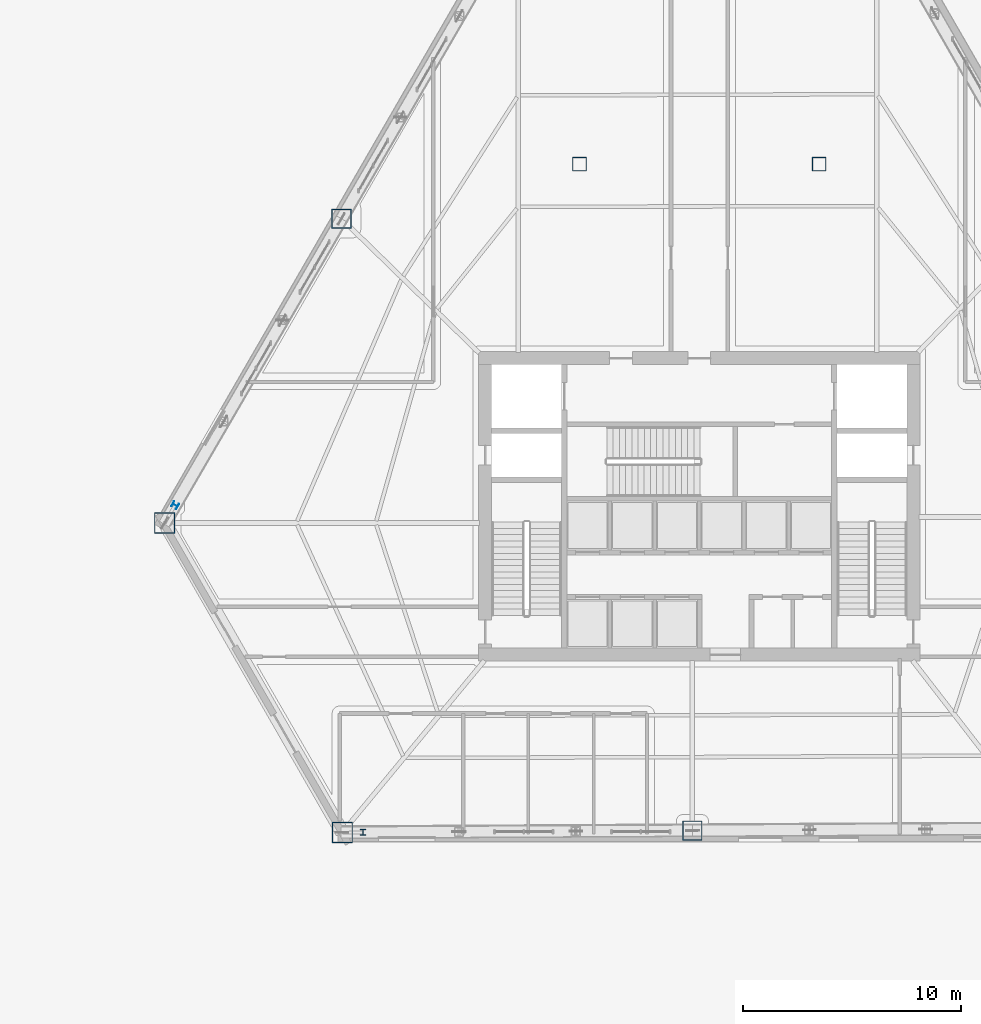
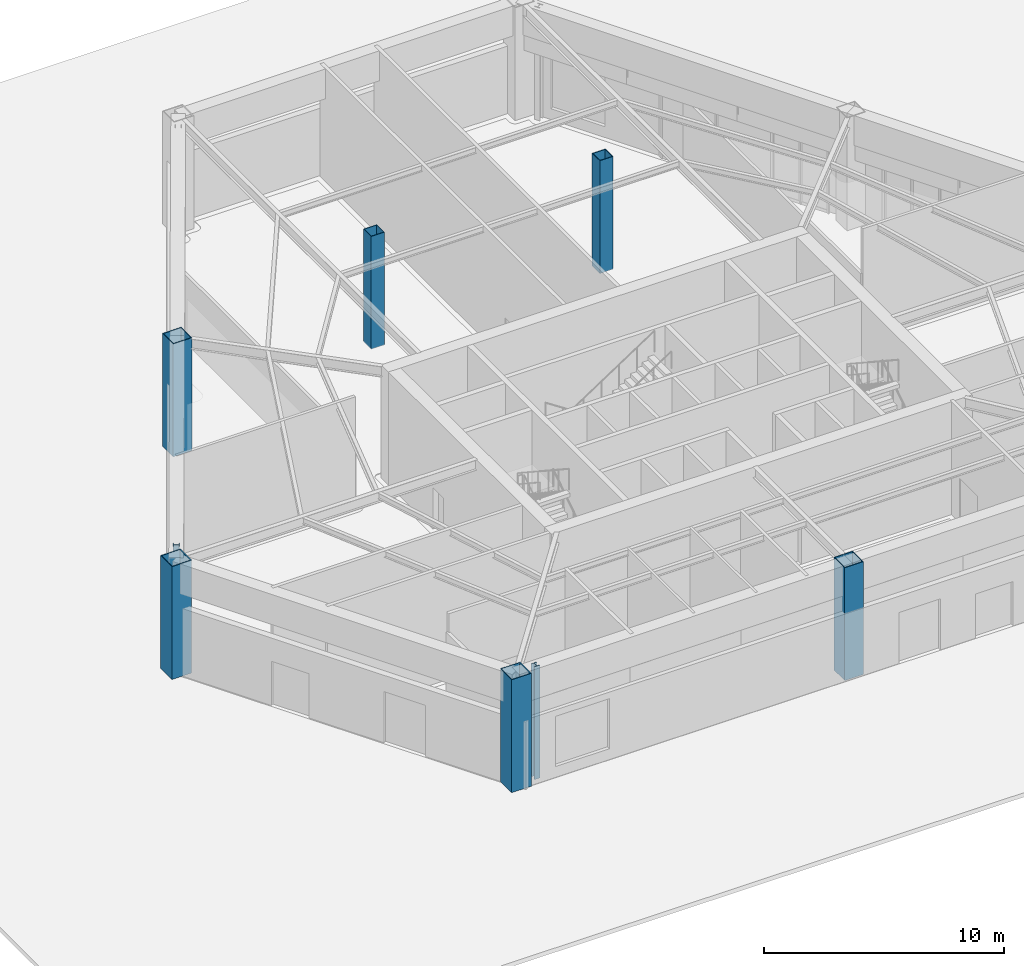
# One storey, part 1 of 20: 8 columns.
"""IFC4 building model written with IfcOpenShell, lengths in metres."""

from ifc_helpers import new_model, si_unit, direction, frame, origin, origin_2d, place, context, subcontext, project, spatial, hollow_rectangle, i_section, extrude, material, material_profile, profile_set, type_object, element, save


model = new_model("IFC4")

# Units and contexts
model_context = context("Model", 3, precision=1e-05, world=origin(), true_north=direction((0.0, 1.0)))
body_context = subcontext(model_context, "Body", "Model", "MODEL_VIEW")
ifc_project = project(units=[si_unit("LENGTHUNIT", "METRE"), si_unit("AREAUNIT", "SQUARE_METRE"), si_unit("VOLUMEUNIT", "CUBIC_METRE"), si_unit("PLANEANGLEUNIT", "RADIAN"), si_unit("MASSUNIT", "GRAM", prefix="KILO")], contexts=[model_context])

# Site, building, storey
site_placement = place(None, origin())
site = spatial("IfcSite", under=ifc_project, at=site_placement, CompositionType="ELEMENT")
building_placement = place(site_placement, origin())
building = spatial("IfcBuilding", under=site, at=building_placement, Name="Kavelnor Concourse Tower", CompositionType="ELEMENT")
storey_placement = place(building_placement, origin())
storey = spatial("IfcBuildingStorey", under=building, at=storey_placement, Name="L00", CompositionType="ELEMENT", Elevation=0.0)

# Columns
ifc_material = material(Name="Steel Grade 350", Category="steel")
ifc_material_profile_1 = material_profile(ifc_material, hollow_rectangle(XDim=0.89990234375, YDim=0.89990234375, WallThickness=0.0380859375, at=origin_2d()), Name="SHS 900x900x38")
ifc_profile_set_1 = profile_set([ifc_material_profile_1], Name="Steel Grade 350")
column_type_1 = type_object("IfcColumnType", Name="COL-MEGA-900", PredefinedType="COLUMN", material=ifc_profile_set_1)
for number, where, z_axis, x_axis, name in (
    (1, (21.587158203125, 29.294189453125, 0.0), (0.0, 0.0, 1.0), (1.0, 0.0, 0.0), "L00 Perimeter Mega Column MC-F0"),
    (2, (37.68505859375, 1.22998046875, 0.0), (0.0, 0.0, 1.0), (1.0, 0.0, 0.0), "L00 Perimeter Mega Column MC-F1"),
):
    element("IfcColumn", number, at=place(storey_placement, frame(where, z_axis=z_axis, x_axis=x_axis)), inside=storey, type_object=column_type_1, Name=name, PredefinedType="COLUMN", context=body_context, shape_type="SweptSolid", body=[
        extrude(hollow_rectangle(XDim=0.89990234375, YDim=0.89990234375, WallThickness=0.0380859375, at=origin_2d()), origin(), (0.0, 0.0, 1.0), 5.739990234375),
    ])
ifc_material_profile_2 = material_profile(ifc_material, hollow_rectangle(XDim=0.949951171875, YDim=0.949951171875, WallThickness=0.0400390625, at=origin_2d()), Name="SHS 950x950x40")
ifc_profile_set_2 = profile_set([ifc_material_profile_2], Name="Steel Grade 350")
column_type_2 = type_object("IfcColumnType", Name="COL-MEGA-950", PredefinedType="COLUMN", material=ifc_profile_set_2)
for number, where, z_axis, x_axis, name in (
    (3, (13.479736328125, 15.33935546875, 0.0), (0.0, 0.0, 1.0), (1.0, 0.0, 0.0), "L00 Perimeter Mega Column MC-V2"),
    (4, (21.62451171875, 1.142333984375, 0.0), (0.0, 0.0, 1.0), (1.0, 0.0, 0.0), "L00 Perimeter Mega Column MC-V3"),
):
    element("IfcColumn", number, at=place(storey_placement, frame(where, z_axis=z_axis, x_axis=x_axis)), inside=storey, type_object=column_type_2, Name=name, PredefinedType="COLUMN", context=body_context, shape_type="SweptSolid", body=[
        extrude(hollow_rectangle(XDim=0.949951171875, YDim=0.949951171875, WallThickness=0.0400390625, at=origin_2d()), origin(), (0.0, 0.0, 1.0), 5.739990234375),
    ])
ifc_material_profile_3 = material_profile(ifc_material, i_section(OverallWidth=0.260986328125, OverallDepth=0.27587890625, WebThickness=0.015380859375, FlangeThickness=0.025390625, at=origin_2d()), Name="UC 254x254x132")
ifc_profile_set_3 = profile_set([ifc_material_profile_3], Name="Steel Grade 350")
column_type_3 = type_object("IfcColumnType", Name="COL-PILASTER-250", PredefinedType="PILASTER", material=ifc_profile_set_3)
for number, where, z_axis, x_axis, name in (
    (5, (13.95703125, 16.16064453125, 0.0), (0.0, 0.0, 1.0), (-0.502416446459, -0.864625765478, 0.0), "L00 Brick Pier Stiffener Pilaster F0-B"),
    (6, (22.574462890625, 1.147705078125, 0.0), (0.0, 0.0, 1.0), (0.999985363169, 0.005410494284, 0.0), "L00 Brick Pier Stiffener Pilaster F1-A"),
):
    element("IfcColumn", number, at=place(storey_placement, frame(where, z_axis=z_axis, x_axis=x_axis)), inside=storey, type_object=column_type_3, Name=name, PredefinedType="PILASTER", context=body_context, shape_type="SweptSolid", body=[
        extrude(i_section(OverallWidth=0.260986328125, OverallDepth=0.27587890625, WebThickness=0.015380859375, FlangeThickness=0.025390625, at=origin_2d()), origin(), (0.0, 0.0, 1.0), 5.739990234375),
    ])
ifc_material_profile_4 = material_profile(ifc_material, hollow_rectangle(XDim=0.639892578125, YDim=0.639892578125, WallThickness=0.028076171875, at=origin_2d()), Name="SHS 640x640x28")
ifc_profile_set_4 = profile_set([ifc_material_profile_4], Name="Steel Grade 350")
column_type_4 = type_object("IfcColumnType", Name="COL-TUBE-Z3", PredefinedType="COLUMN", material=ifc_profile_set_4)
for number, where, z_axis, x_axis, name in (
    (7, (32.5, 31.800048828125, 0.0), (0.0, 0.0, 1.0), (1.0, 0.0, 0.0), "L00 Interior Column BC-NW"),
    (8, (43.5, 31.800048828125, 0.0), (0.0, 0.0, 1.0), (1.0, 0.0, 0.0), "L00 Interior Column BC-NE"),
):
    element("IfcColumn", number, at=place(storey_placement, frame(where, z_axis=z_axis, x_axis=x_axis)), inside=storey, type_object=column_type_4, Name=name, PredefinedType="COLUMN", context=body_context, shape_type="SweptSolid", body=[
        extrude(hollow_rectangle(XDim=0.639892578125, YDim=0.639892578125, WallThickness=0.028076171875, at=origin_2d()), origin(), (0.0, 0.0, 1.0), 5.739990234375),
    ])

save(model, "model.ifc")
